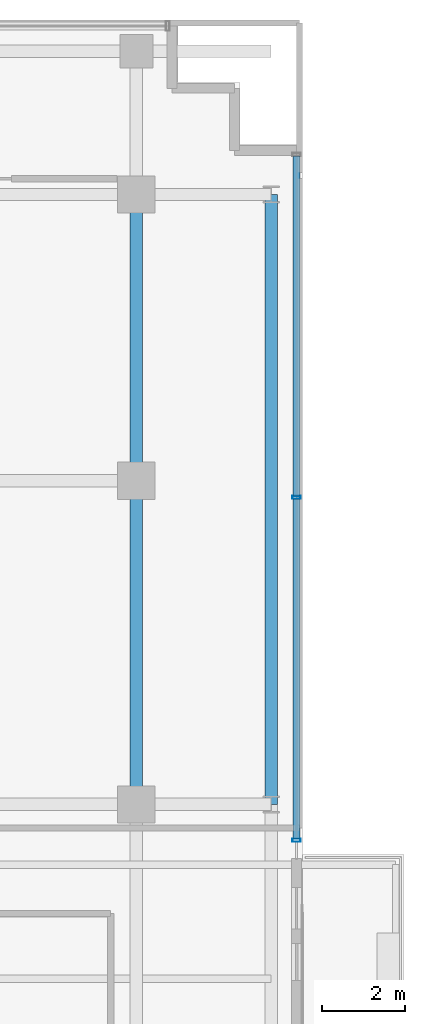
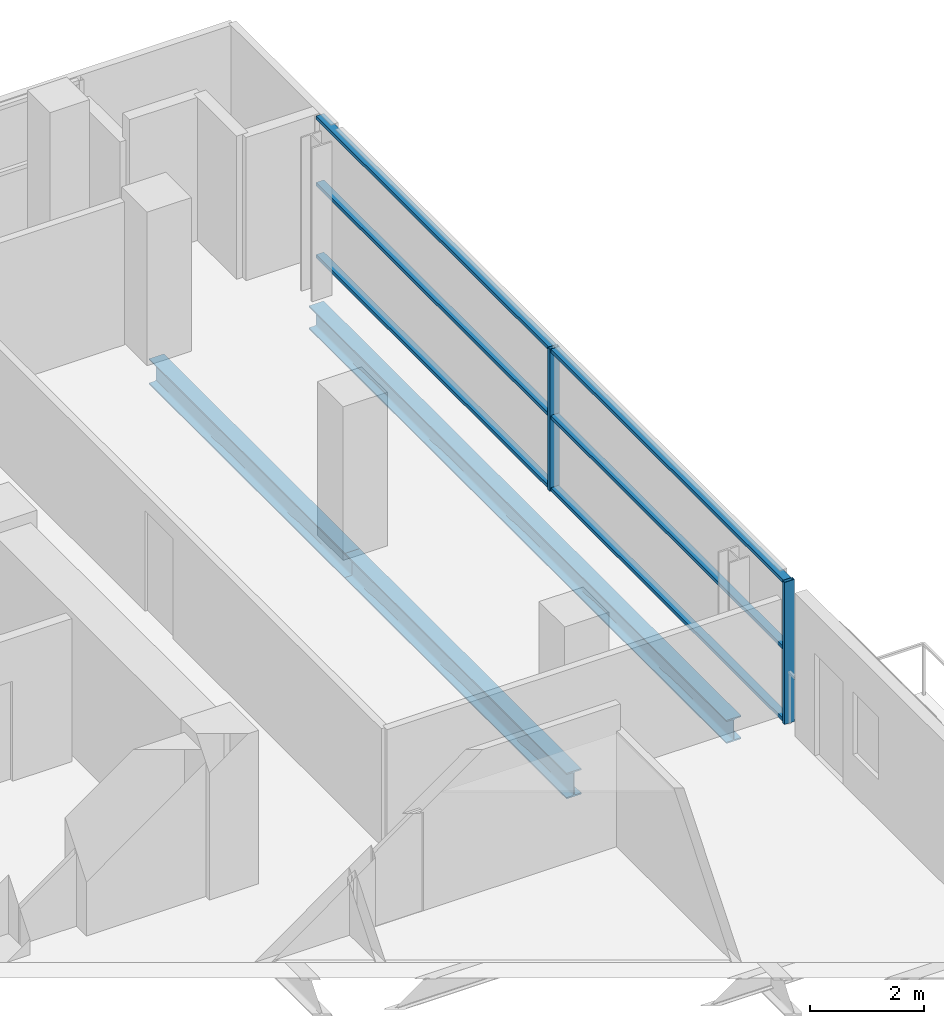
# One storey, part 13 of 27: 8 members, 3 beams, 1 element without a shape of its own.
"""IFC4 building model written with IfcOpenShell, lengths in metres."""

from ifc_helpers import new_model, si_unit, direction, frame, origin, origin_2d, place, context, subcontext, project, spatial, hollow_rectangle, i_section, extrude, source, transform, mapped, material, layer, layer_set, material_profile, profile_set, type_object, element, aggregate, save


model = new_model("IFC4")

# Units and contexts
model_context = context("Model", 3, precision=1e-05, world=origin(), true_north=direction((0.0, 1.0)))
body_context = subcontext(model_context, "Body", "Model", "MODEL_VIEW")
ifc_project = project(units=[si_unit("LENGTHUNIT", "METRE"), si_unit("AREAUNIT", "SQUARE_METRE"), si_unit("VOLUMEUNIT", "CUBIC_METRE"), si_unit("PLANEANGLEUNIT", "RADIAN"), si_unit("MASSUNIT", "GRAM", prefix="KILO")], contexts=[model_context])

# Site, building, storey
site_placement = place(None, origin())
site = spatial("IfcSite", under=ifc_project, at=site_placement, CompositionType="ELEMENT")
building_placement = place(site_placement, origin())
building = spatial("IfcBuilding", under=site, at=building_placement, Name="Zarnakvel Exchange Tower", CompositionType="ELEMENT")
storey_placement = place(building_placement, frame((0.0, 0.0, 106.60009765625)))
storey = spatial("IfcBuildingStorey", under=building, at=storey_placement, Name="L29", CompositionType="ELEMENT", Elevation=106.60009765625)

# Beams
ifc_material_1 = material(Name="Steel S355", Category="steel")
ifc_material_profile_1 = material_profile(ifc_material_1, i_section(OverallWidth=0.300048828125, OverallDepth=0.550048828125, WebThickness=0.014892578125, FlangeThickness=0.029052734375, FilletRadius=0.027099609375, at=origin_2d()))
ifc_profile_set_1 = profile_set([ifc_material_profile_1], Name="Steel S355")
beam_type_1 = type_object("IfcBeamType", Name="G-05", PredefinedType="BEAM", material=ifc_profile_set_1)
beam_1_placement = place(storey_placement, frame((21.60009765625, -1.199951171875, -0.5), z_axis=(0.0, 1.0, 0.0), x_axis=(-1.0, 0.0, 0.0)))
element("IfcBeam", 1, at=beam_1_placement, inside=storey, type_object=beam_type_1, Name="L29 Tower N-S Frame Beam", PredefinedType="BEAM", context=body_context, shape_type="SweptSolid", body=[
    extrude(i_section(OverallWidth=0.300048828125, OverallDepth=0.550048828125, WebThickness=0.014892578125, FlangeThickness=0.029052734375, FilletRadius=0.027099609375, at=origin_2d()), origin(), (0.0, 0.0, 1.0), 7.800048828125),
])
beam_2_placement = place(storey_placement, frame((21.60009765625, 6.60009765625, -0.5), z_axis=(0.0, 1.0, 0.0), x_axis=(-1.0, 0.0, 0.0)))
element("IfcBeam", 2, at=beam_2_placement, inside=storey, type_object=beam_type_1, Name="L29 Tower N-S Frame Beam", PredefinedType="BEAM", context=body_context, shape_type="SweptSolid", body=[
    extrude(i_section(OverallWidth=0.300048828125, OverallDepth=0.550048828125, WebThickness=0.014892578125, FlangeThickness=0.029052734375, FilletRadius=0.027099609375, at=origin_2d()), origin(), (0.0, 0.0, 1.0), 6.89990234375),
])
ifc_material_profile_2 = material_profile(ifc_material_1, i_section(OverallWidth=0.300048828125, OverallDepth=0.5, WebThickness=0.014404296875, FlangeThickness=0.028076171875, FilletRadius=0.027099609375, at=origin_2d()))
ifc_profile_set_2 = profile_set([ifc_material_profile_2], Name="Steel S355")
beam_type_2 = type_object("IfcBeamType", Name="SP-02", PredefinedType="SPANDREL", material=ifc_profile_set_2)
beam_3_placement = place(storey_placement, frame((24.85009765625, -1.199951171875, -0.47509765625), z_axis=(0.0, 1.0, 0.0), x_axis=(-1.0, 0.0, 0.0)))
element("IfcBeam", 3, at=beam_3_placement, inside=storey, type_object=beam_type_2, Name="L29 Tower N-S Frame Beam", PredefinedType="SPANDREL", context=body_context, shape_type="SweptSolid", body=[
    extrude(i_section(OverallWidth=0.300048828125, OverallDepth=0.5, WebThickness=0.014404296875, FlangeThickness=0.028076171875, FilletRadius=0.027099609375, at=origin_2d()), origin(), (0.0, 0.0, 1.0), 14.699951171875),
])

# Curtain wall, members
ifc_material_2 = material(Name="Architectural Bronze Anodised Aluminium", Category="aluminium")
ifc_layer = layer(ifc_material_2, 0.199951171875)
ifc_layer_set = layer_set([ifc_layer], Name="Architectural Bronze Anodised Aluminium")
curtain_wall_type = type_object("IfcCurtainWallType", Name="CW-04", PredefinedType="NOTDEFINED", material=ifc_layer_set)
curtain_wall_placement = place(storey_placement, origin())
curtain_wall = element("IfcCurtainWall", 4, at=curtain_wall_placement, inside=storey, type_object=curtain_wall_type, Name="L29 Curtain Wall CW-L29-EN (CW-04)", PredefinedType="NOTDEFINED")
ifc_material_profile_3 = material_profile(ifc_material_2, hollow_rectangle(XDim=0.199951171875, YDim=0.074951171875, WallThickness=0.0048828125, at=origin_2d()))
ifc_profile_set_3 = profile_set([ifc_material_profile_3], Name="Architectural Bronze Anodised Aluminium")
member_type_1 = type_object("IfcMemberType", Name="CWM-04", PredefinedType="MULLION", material=ifc_profile_set_3)
shared_shape_1 = source(origin(), body_context, "Body", "SweptSolid", [
    extrude(hollow_rectangle(XDim=0.199951171875, YDim=0.074951171875, WallThickness=0.0048828125, at=origin_2d()), origin(), (0.0, 0.0, 1.0), 3.054931640625),
])
member_1_placement = place(storey_placement, frame((25.4599609375, -2.0625, 0.0), z_axis=(0.0, 0.0, 1.0), x_axis=(-1.0, 0.0, 0.0)))
member_1 = element("IfcMember", 5, at=member_1_placement, type_object=member_type_1, Name="CW-04 mullion 1", PredefinedType="MULLION", context=body_context, shape_type="MappedRepresentation", body=[
    mapped(shared_shape_1, transform((0.0, 0.0, 0.0), x_axis=(1.0, 0.0, 0.0), y_axis=(0.0, 1.0, 0.0), z_axis=(0.0, 0.0, 1.0), scale=1.0)),
])
member_2_placement = place(storey_placement, frame((25.4599609375, 6.199951171875, 0.0), z_axis=(0.0, 0.0, 1.0), x_axis=(-1.0, 0.0, 0.0)))
member_2 = element("IfcMember", 6, at=member_2_placement, type_object=member_type_1, Name="CW-04 mullion 2", PredefinedType="MULLION", context=body_context, shape_type="MappedRepresentation", body=[
    mapped(shared_shape_1, transform((0.0, 0.0, 0.0), x_axis=(1.0, 0.0, 0.0), y_axis=(0.0, 1.0, 0.0), z_axis=(0.0, 0.0, 1.0), scale=1.0)),
])
ifc_material_profile_4 = material_profile(ifc_material_2, hollow_rectangle(XDim=0.159912109375, YDim=0.074951171875, WallThickness=0.00390625, at=origin_2d()))
ifc_profile_set_4 = profile_set([ifc_material_profile_4], Name="Architectural Bronze Anodised Aluminium")
member_type_2 = type_object("IfcMemberType", Name="CWT-04", PredefinedType="USERDEFINED", material=ifc_profile_set_4)
shared_shape_2 = source(origin(), body_context, "Body", "SweptSolid", [
    extrude(hollow_rectangle(XDim=0.159912109375, YDim=0.074951171875, WallThickness=0.00390625, at=origin_2d()), origin(), (0.0, 0.0, 1.0), 8.1875),
])
member_3_placement = place(storey_placement, frame((25.4599609375, -2.02490234375, 0.037353515625), z_axis=(0.0, 1.0, 0.0), x_axis=(-1.0, 0.0, 0.0)))
member_3 = element("IfcMember", 7, at=member_3_placement, type_object=member_type_2, Name="CW-04 transom 1.1", ObjectType="TRANSOM", PredefinedType="USERDEFINED", context=body_context, shape_type="MappedRepresentation", body=[
    mapped(shared_shape_2, transform((0.0, 0.0, 0.0), x_axis=(1.0, 0.0, 0.0), y_axis=(0.0, 1.0, 0.0), z_axis=(0.0, 0.0, 1.0), scale=1.0)),
])
member_4_placement = place(storey_placement, frame((25.4599609375, -2.02490234375, 1.588623046875), z_axis=(0.0, 1.0, 0.0), x_axis=(-1.0, 0.0, 0.0)))
member_4 = element("IfcMember", 8, at=member_4_placement, type_object=member_type_2, Name="CW-04 transom 1.2", ObjectType="TRANSOM", PredefinedType="USERDEFINED", context=body_context, shape_type="MappedRepresentation", body=[
    mapped(shared_shape_2, transform((0.0, 0.0, 0.0), x_axis=(1.0, 0.0, 0.0), y_axis=(0.0, 1.0, 0.0), z_axis=(0.0, 0.0, 1.0), scale=1.0)),
])
member_5_placement = place(storey_placement, frame((25.4599609375, -2.02490234375, 3.017333984375), z_axis=(0.0, 1.0, 0.0), x_axis=(-1.0, 0.0, 0.0)))
member_5 = element("IfcMember", 9, at=member_5_placement, type_object=member_type_2, Name="CW-04 transom 1.3", ObjectType="TRANSOM", PredefinedType="USERDEFINED", context=body_context, shape_type="MappedRepresentation", body=[
    mapped(shared_shape_2, transform((0.0, 0.0, 0.0), x_axis=(1.0, 0.0, 0.0), y_axis=(0.0, 1.0, 0.0), z_axis=(0.0, 0.0, 1.0), scale=1.0)),
])
member_6_placement = place(storey_placement, frame((25.4599609375, 6.237548828125, 0.037353515625), z_axis=(0.0, 1.0, 0.0), x_axis=(-1.0, 0.0, 0.0)))
member_6 = element("IfcMember", 10, at=member_6_placement, type_object=member_type_2, Name="CW-04 transom 2.1", ObjectType="TRANSOM", PredefinedType="USERDEFINED", context=body_context, shape_type="MappedRepresentation", body=[
    mapped(shared_shape_2, transform((0.0, 0.0, 0.0), x_axis=(1.0, 0.0, 0.0), y_axis=(0.0, 1.0, 0.0), z_axis=(0.0, 0.0, 1.0), scale=1.0)),
])
member_7_placement = place(storey_placement, frame((25.4599609375, 6.237548828125, 1.588623046875), z_axis=(0.0, 1.0, 0.0), x_axis=(-1.0, 0.0, 0.0)))
member_7 = element("IfcMember", 11, at=member_7_placement, type_object=member_type_2, Name="CW-04 transom 2.2", ObjectType="TRANSOM", PredefinedType="USERDEFINED", context=body_context, shape_type="MappedRepresentation", body=[
    mapped(shared_shape_2, transform((0.0, 0.0, 0.0), x_axis=(1.0, 0.0, 0.0), y_axis=(0.0, 1.0, 0.0), z_axis=(0.0, 0.0, 1.0), scale=1.0)),
])
member_8_placement = place(storey_placement, frame((25.4599609375, 6.237548828125, 3.017333984375), z_axis=(0.0, 1.0, 0.0), x_axis=(-1.0, 0.0, 0.0)))
member_8 = element("IfcMember", 12, at=member_8_placement, type_object=member_type_2, Name="CW-04 transom 2.3", ObjectType="TRANSOM", PredefinedType="USERDEFINED", context=body_context, shape_type="MappedRepresentation", body=[
    mapped(shared_shape_2, transform((0.0, 0.0, 0.0), x_axis=(1.0, 0.0, 0.0), y_axis=(0.0, 1.0, 0.0), z_axis=(0.0, 0.0, 1.0), scale=1.0)),
])
aggregate(curtain_wall, [member_1, member_2, member_3, member_4, member_5, member_6, member_7, member_8])

save(model, "model.ifc")
